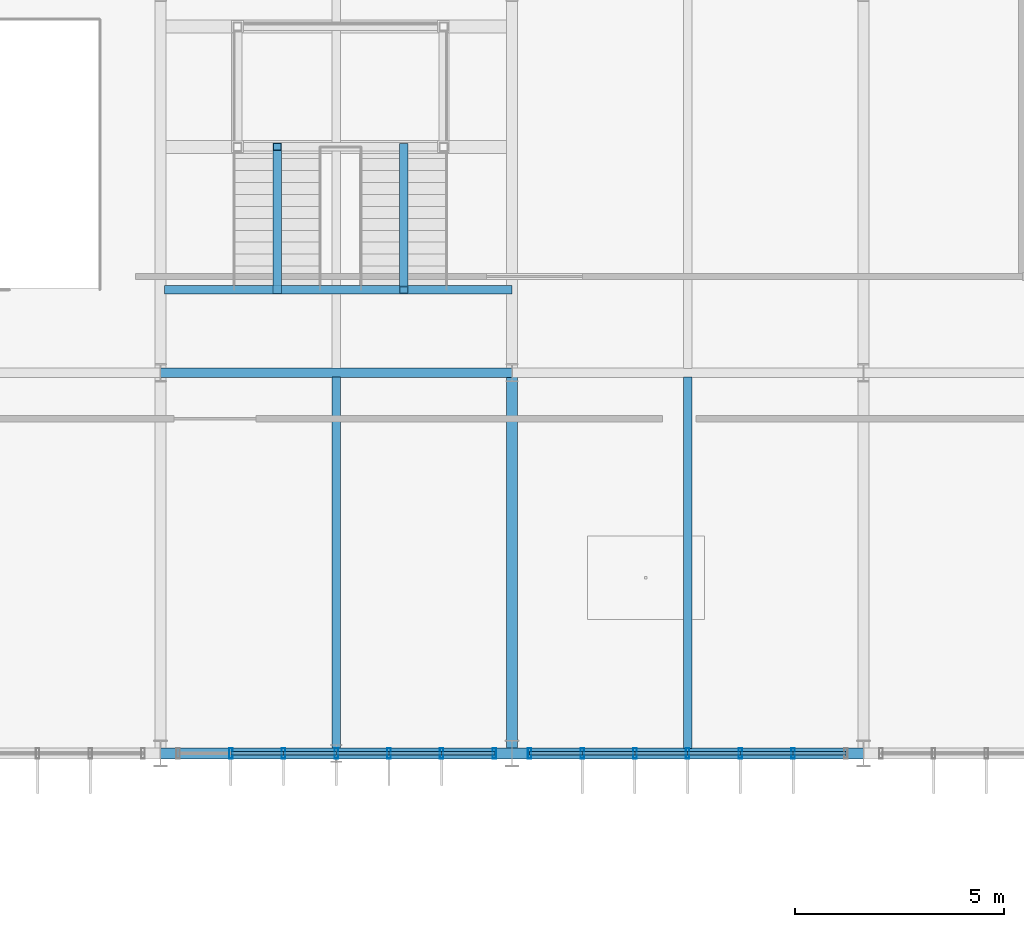
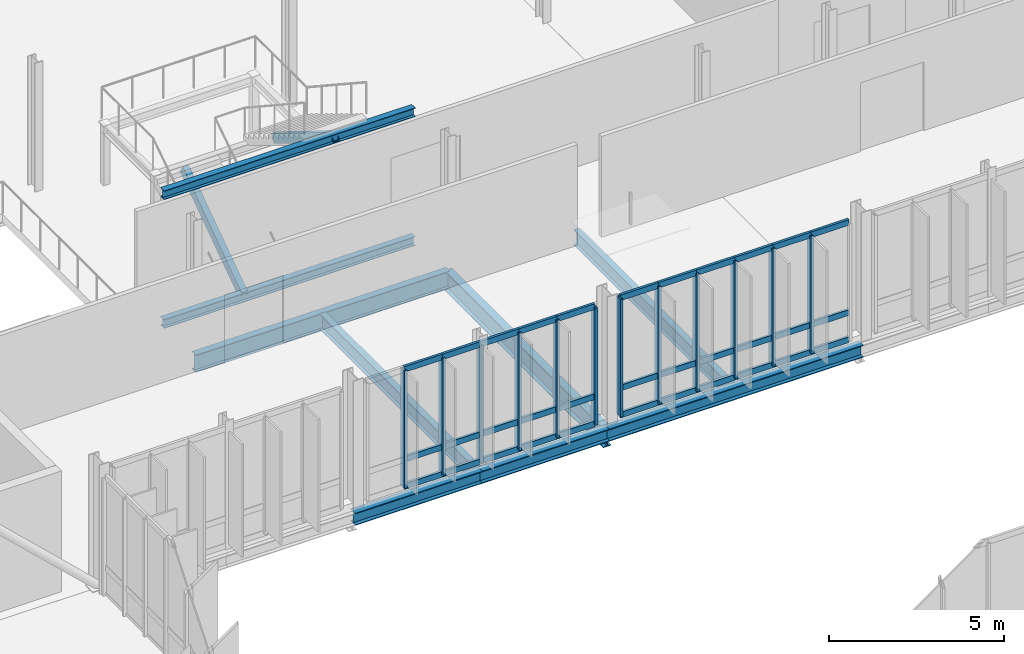
# One storey, part 40 of 139: 47 members, 9 beams, 2 elements without a shape of their own.
"""IFC4 building model written with IfcOpenShell, lengths in metres."""

import ifcopenshell
import ifcopenshell.guid

model = None  # the IFC model being written
_history = None  # IfcOwnerHistory: only IFC2X3 demands one
_inside = {}  # id of a spatial element -> (the spatial element, [elements in it])
_under = {}  # id of a project, library or spatial element -> (it, [spatial elements below it])
_declared = {}  # id of a project -> (the project, [libraries it declares])
_typed = {}  # id of a type object -> (the type object, [elements of that type])
_made_of = {}  # id of a material, layer set ... -> (it, [elements and type objects made of it])


def new_model(schema):
    """Start an empty IFC model of exactly this schema.

    Asked for "IFC4X3", IfcOpenShell would pick the latest addendum, in which some entities
    have other attributes; the version numbers below select the first issue.
    IFC2X3 requires an IfcOwnerHistory on every rooted entity: one is made here for all.
    """
    global model, _history
    if schema == "IFC4X3":
        model = ifcopenshell.file(schema_version=(4, 3, 0, 0))
    else:
        model = ifcopenshell.file(schema=schema)
    _inside.clear()
    _under.clear()
    _declared.clear()
    _typed.clear()
    _made_of.clear()
    _history = None
    if model.schema == "IFC2X3":
        org = make("IfcOrganization", Name="unknown")
        user = make(
            "IfcPersonAndOrganization",
            ThePerson=make("IfcPerson", FamilyName="unknown"),
            TheOrganization=org,
        )
        app = make(
            "IfcApplication",
            ApplicationDeveloper=org,
            Version="unknown",
            ApplicationFullName="unknown",
            ApplicationIdentifier="unknown",
        )
        _history = make(
            "IfcOwnerHistory",
            OwningUser=user,
            OwningApplication=app,
            ChangeAction="ADDED",
            CreationDate=0,
        )
    return model


def make(cls, **values):
    """One entity of the class cls with the attributes given. An attribute that is None is left unset."""
    return model.create_entity(
        cls, **{name: value for name, value in values.items() if value is not None}
    )


def rooted(cls, **values):
    """An entity with a GlobalId (a new one), such as an element, a storey or a relation."""
    return make(cls, GlobalId=ifcopenshell.guid.new(), OwnerHistory=_history, **values)


def si_unit(unit_type, name, prefix=None):
    """IfcSIUnit, for example si_unit("LENGTHUNIT", "METRE", prefix="MILLI")."""
    return make("IfcSIUnit", UnitType=unit_type, Prefix=prefix, Name=name)


def derived_unit(unit_type, elements):
    """IfcDerivedUnit: a product of units, each with its exponent."""
    return make(
        "IfcDerivedUnit",
        Elements=[
            make("IfcDerivedUnitElement", Unit=unit, Exponent=power)
            for unit, power in elements
        ],
        UnitType=unit_type,
    )


def assignment(units):
    """IfcUnitAssignment: the units of a project."""
    return None if units is None else make("IfcUnitAssignment", Units=units)


def point(xyz):
    """IfcCartesianPoint."""
    return None if xyz is None else make("IfcCartesianPoint", Coordinates=xyz)


def direction(xyz):
    """IfcDirection."""
    return None if xyz is None else make("IfcDirection", DirectionRatios=xyz)


def frame(location, z_axis=None, x_axis=None):
    """IfcAxis2Placement3D, a coordinate frame: its origin and axes. An axis left out is left unset."""
    return make(
        "IfcAxis2Placement3D",
        Location=point(location),
        Axis=direction(z_axis),
        RefDirection=direction(x_axis),
    )


def frame_2d(location, x_axis=None):
    """IfcAxis2Placement2D, a coordinate frame in the plane: its origin and x axis."""
    return make(
        "IfcAxis2Placement2D", Location=point(location), RefDirection=direction(x_axis)
    )


def origin():
    """The frame at (0, 0, 0) with its axes left unset."""
    return frame((0.0, 0.0, 0.0))


def origin_2d():
    """The frame at (0, 0) in the plane with its x axis left unset."""
    return frame_2d((0.0, 0.0))


def place(relative_to, where):
    """IfcLocalPlacement: puts the frame where relative to a parent placement (None: the world)."""
    return make(
        "IfcLocalPlacement", PlacementRelTo=relative_to, RelativePlacement=where
    )


def context(
    kind, dimensions, precision=None, world=None, true_north=None, identifier=None
):
    """IfcGeometricRepresentationContext, for example the 3D "Model" context."""
    return make(
        "IfcGeometricRepresentationContext",
        ContextIdentifier=identifier,
        ContextType=kind,
        CoordinateSpaceDimension=dimensions,
        Precision=precision,
        WorldCoordinateSystem=world,
        TrueNorth=true_north,
    )


def subcontext(parent, identifier, kind, view, scale=None):
    """IfcGeometricRepresentationSubContext, for example "Body" below "Model"."""
    return make(
        "IfcGeometricRepresentationSubContext",
        ContextIdentifier=identifier,
        ContextType=kind,
        ParentContext=parent,
        TargetScale=scale,
        TargetView=view,
    )


def project(units=None, contexts=None):
    """IfcProject with its units and contexts."""
    return rooted(
        "IfcProject",
        Name="project",
        RepresentationContexts=contexts,
        UnitsInContext=assignment(units),
    )


def spatial(cls, under=None, at=None, **own):
    """A site, building, storey or space (cls), placed at a placement, below another one or the project."""
    s = rooted(cls, ObjectPlacement=at, **own)
    if under is not None:
        _under.setdefault(under.id(), (under, []))[1].append(s)
    return s


def profile(cls, at=None, kind="AREA", **sizes):
    """A parametric profile (cls). Its sizes go by their IFC names, for example OverallWidth=200.0."""
    return make(cls, ProfileType=kind, Position=at, **sizes)


def hollow_rectangle(**sizes):
    """IfcRectangleHollowProfileDef."""
    return profile("IfcRectangleHollowProfileDef", **sizes)


def i_section(**sizes):
    """IfcIShapeProfileDef."""
    return profile("IfcIShapeProfileDef", **sizes)


def extrude(swept, where, along, depth):
    """IfcExtrudedAreaSolid: the profile swept, set in the frame where, extruded along a direction by depth."""
    return make(
        "IfcExtrudedAreaSolid",
        SweptArea=swept,
        Position=where,
        ExtrudedDirection=direction(along),
        Depth=depth,
    )


def shape(context_of_items, identifier, shape_type, items):
    """IfcShapeRepresentation: the items that make up one representation, for example the "Body"."""
    return make(
        "IfcShapeRepresentation",
        ContextOfItems=context_of_items,
        RepresentationIdentifier=identifier,
        RepresentationType=shape_type,
        Items=items,
    )


def material(Name=None, Category=None):
    """IfcMaterial."""
    return make("IfcMaterial", Name=Name, Category=Category)


def layer(
    of_material, thickness, ventilated=None, Name=None, Category=None, Priority=None
):
    """IfcMaterialLayer: one layer of a wall or slab, of a material (None: an air gap)."""
    return make(
        "IfcMaterialLayer",
        Material=of_material,
        LayerThickness=thickness,
        IsVentilated=ventilated,
        Name=Name,
        Category=Category,
        Priority=Priority,
    )


def layer_set(layers, Name=None):
    """IfcMaterialLayerSet."""
    return make("IfcMaterialLayerSet", MaterialLayers=layers, LayerSetName=Name)


def material_profile(
    of_material, cross_section, Name=None, Category=None, Priority=None
):
    """IfcMaterialProfile: a cross section and its material."""
    return make(
        "IfcMaterialProfile",
        Name=Name,
        Material=of_material,
        Profile=cross_section,
        Priority=Priority,
        Category=Category,
    )


def profile_set(profiles, Name=None, composite=None):
    """IfcMaterialProfileSet."""
    return make(
        "IfcMaterialProfileSet",
        Name=Name,
        MaterialProfiles=profiles,
        CompositeProfile=composite,
    )


def made_of(thing, what):
    """Note that an element or type object is made of a material, layer set ...; save() writes the relation."""
    if what is not None:
        _made_of.setdefault(what.id(), (what, []))[1].append(thing)
    return thing


def type_object(cls, material=None, **own):
    """A type object (cls), such as IfcWallType, which elements share."""
    return made_of(rooted(cls, **own), material)


def element(
    cls,
    number,
    at=None,
    inside=None,
    cuts=None,
    type_object=None,
    material=None,
    context=None,
    identifier="Body",
    shape_type=None,
    held_by="IfcProductDefinitionShape",
    body=None,
    shapes=None,
    **own,
):
    """One element of the class cls, such as IfcWall. Its Tag is "e" and its number.

    at: its placement. inside: the storey or other place that contains it. cuts: it is an
    opening in that element (IfcRelVoidsElement). A single representation is given by context,
    identifier, shape_type and body (its items); several are given by shapes. held_by: the class
    of the entity that holds the representations. save() writes the other relations.
    """
    e = rooted(cls, Tag="e%d" % number, ObjectPlacement=at, **own)
    if body is not None:
        shapes = [shape(context, identifier, shape_type, body)]
    if shapes is not None:
        e.Representation = make(held_by, Representations=shapes)
    if inside is not None:
        _inside.setdefault(inside.id(), (inside, []))[1].append(e)
    if cuts is not None:
        rooted(
            "IfcRelVoidsElement", RelatingBuildingElement=cuts, RelatedOpeningElement=e
        )
    if type_object is not None:
        _typed.setdefault(type_object.id(), (type_object, []))[1].append(e)
    return made_of(e, material)


def aggregate(whole, parts):
    """IfcRelAggregates: a whole, such as a stair, and the parts it consists of."""
    return rooted("IfcRelAggregates", RelatingObject=whole, RelatedObjects=parts)


def save(model, path):
    """Write the relations noted so far, then the file.

    IfcRelAggregates (storeys below a building ...), IfcRelContainedInSpatialStructure (elements
    in a storey), IfcRelDefinesByType, IfcRelAssociatesMaterial and IfcRelDeclares: one each for
    every whole, place, type object, material and project.
    """
    for whole, parts in _under.values():
        aggregate(whole, parts)
    for where, things in _inside.values():
        rooted(
            "IfcRelContainedInSpatialStructure",
            RelatedElements=things,
            RelatingStructure=where,
        )
    for kind, things in _typed.values():
        rooted("IfcRelDefinesByType", RelatedObjects=things, RelatingType=kind)
    for what, things in _made_of.values():
        rooted("IfcRelAssociatesMaterial", RelatedObjects=things, RelatingMaterial=what)
    for by, libraries in _declared.values():
        rooted("IfcRelDeclares", RelatingContext=by, RelatedDefinitions=libraries)
    model.write(path)


model = new_model("IFC4")

# Units and contexts
model_context = context("Model", 3, precision=1e-05, world=origin(), true_north=direction((0.0, 1.0)))
body_context = subcontext(model_context, "Body", "Model", "MODEL_VIEW")
ifc_project = project(units=[si_unit("LENGTHUNIT", "METRE"), si_unit("AREAUNIT", "SQUARE_METRE"), si_unit("VOLUMEUNIT", "CUBIC_METRE"), si_unit("PLANEANGLEUNIT", "RADIAN"), si_unit("MASSUNIT", "GRAM", prefix="KILO"), derived_unit("THERMALTRANSMITTANCEUNIT", [(si_unit("MASSUNIT", "GRAM", prefix="KILO"), 1), (si_unit("TIMEUNIT", "SECOND"), -3), (si_unit("THERMODYNAMICTEMPERATUREUNIT", "KELVIN"), -1)])], contexts=[model_context])

# Site, building, storey
site_placement = place(None, origin())
site = spatial("IfcSite", under=ifc_project, at=site_placement, CompositionType="ELEMENT")
building_placement = place(site_placement, origin())
building = spatial("IfcBuilding", under=site, at=building_placement, Name="Makaiwela Harbour Ferry Terminal", CompositionType="ELEMENT")
storey_placement = place(building_placement, frame((0.0, 0.0, 5.10009765625)))
storey = spatial("IfcBuildingStorey", under=building, at=storey_placement, Name="L01", CompositionType="ELEMENT", Elevation=5.10009765625)

# Curtain wall, members
ifc_material_1 = material(Name="Marine anodised aluminium 6063-T6", Category="aluminium")
ifc_layer = layer(ifc_material_1, 0.199951171875)
ifc_layer_set = layer_set([ifc_layer], Name="Marine anodised aluminium 6063-T6")
curtain_wall_type = type_object("IfcCurtainWallType", Name="ENV-CW-08", PredefinedType="USERDEFINED", material=ifc_layer_set)
curtain_wall_1_placement = place(storey_placement, origin())
curtain_wall_1 = element("IfcCurtainWall", 1, at=curtain_wall_1_placement, inside=storey, type_object=curtain_wall_type, Name="Unitised Curtain Wall CWA-078", ObjectType="UNITIZED CURTAIN WALL", PredefinedType="USERDEFINED")
ifc_material_profile_1 = material_profile(ifc_material_1, hollow_rectangle(XDim=0.0849609375, YDim=0.25, WallThickness=0.0048828125, at=origin_2d()), Name="CWM-250X85")
ifc_profile_set_1 = profile_set([ifc_material_profile_1], Name="Marine anodised aluminium 6063-T6")
member_type_1 = type_object("IfcMemberType", Name="CW-MUL-250", PredefinedType="MULLION", material=ifc_profile_set_1)
member_1_placement = place(storey_placement, frame((87.780029296875, 49.39990234375, 0.0), z_axis=(0.0, 0.0, 1.0), x_axis=(1.0, 0.0, 0.0)))
member_1 = element("IfcMember", 2, at=member_1_placement, type_object=member_type_1, Name="Curtain Wall Mullion CWA-078-1", PredefinedType="MULLION", context=body_context, shape_type="SweptSolid", body=[
    extrude(hollow_rectangle(XDim=0.0849609375, YDim=0.25, WallThickness=0.0048828125, at=origin_2d()), origin(), (0.0, 0.0, 1.0), 4.099853515625),
])
member_2_placement = place(storey_placement, frame((86.52001953125, 49.39990234375, 0.0), z_axis=(0.0, 0.0, 1.0), x_axis=(1.0, 0.0, 0.0)))
member_2 = element("IfcMember", 3, at=member_2_placement, type_object=member_type_1, Name="Curtain Wall Mullion CWA-078-2", PredefinedType="MULLION", context=body_context, shape_type="SweptSolid", body=[
    extrude(hollow_rectangle(XDim=0.0849609375, YDim=0.25, WallThickness=0.0048828125, at=origin_2d()), origin(), (0.0, 0.0, 1.0), 4.099853515625),
])
member_3_placement = place(storey_placement, frame((85.260009765625, 49.39990234375, 0.0), z_axis=(0.0, 0.0, 1.0), x_axis=(1.0, 0.0, 0.0)))
member_3 = element("IfcMember", 4, at=member_3_placement, type_object=member_type_1, Name="Curtain Wall Mullion CWA-078-3", PredefinedType="MULLION", context=body_context, shape_type="SweptSolid", body=[
    extrude(hollow_rectangle(XDim=0.0849609375, YDim=0.25, WallThickness=0.0048828125, at=origin_2d()), origin(), (0.0, 0.0, 1.0), 4.099853515625),
])
member_4_placement = place(storey_placement, frame((84.0, 49.39990234375, 0.0), z_axis=(0.0, 0.0, 1.0), x_axis=(1.0, 0.0, 0.0)))
member_4 = element("IfcMember", 5, at=member_4_placement, type_object=member_type_1, Name="Curtain Wall Mullion CWA-078-4", PredefinedType="MULLION", context=body_context, shape_type="SweptSolid", body=[
    extrude(hollow_rectangle(XDim=0.0849609375, YDim=0.25, WallThickness=0.0048828125, at=origin_2d()), origin(), (0.0, 0.0, 1.0), 4.099853515625),
])
member_5_placement = place(storey_placement, frame((82.739990234375, 49.39990234375, 0.0), z_axis=(0.0, 0.0, 1.0), x_axis=(1.0, 0.0, 0.0)))
member_5 = element("IfcMember", 6, at=member_5_placement, type_object=member_type_1, Name="Curtain Wall Mullion CWA-078-5", PredefinedType="MULLION", context=body_context, shape_type="SweptSolid", body=[
    extrude(hollow_rectangle(XDim=0.0849609375, YDim=0.25, WallThickness=0.0048828125, at=origin_2d()), origin(), (0.0, 0.0, 1.0), 4.099853515625),
])
member_6_placement = place(storey_placement, frame((81.47998046875, 49.39990234375, 0.0), z_axis=(0.0, 0.0, 1.0), x_axis=(1.0, 0.0, 0.0)))
member_6 = element("IfcMember", 7, at=member_6_placement, type_object=member_type_1, Name="Curtain Wall Mullion CWA-078-6", PredefinedType="MULLION", context=body_context, shape_type="SweptSolid", body=[
    extrude(hollow_rectangle(XDim=0.0849609375, YDim=0.25, WallThickness=0.0048828125, at=origin_2d()), origin(), (0.0, 0.0, 1.0), 4.099853515625),
])

curtain_wall_2_placement = place(storey_placement, origin())
curtain_wall_2 = element("IfcCurtainWall", 8, at=curtain_wall_2_placement, inside=storey, type_object=curtain_wall_type, Name="Unitised Curtain Wall CWA-080", ObjectType="UNITIZED CURTAIN WALL", PredefinedType="USERDEFINED")
member_7_placement = place(storey_placement, frame((94.919921875, 49.39990234375, 0.0), z_axis=(0.0, 0.0, 1.0), x_axis=(1.0, 0.0, 0.0)))
member_7 = element("IfcMember", 9, at=member_7_placement, type_object=member_type_1, Name="Curtain Wall Mullion CWA-080-2", PredefinedType="MULLION", context=body_context, shape_type="SweptSolid", body=[
    extrude(hollow_rectangle(XDim=0.0849609375, YDim=0.25, WallThickness=0.0048828125, at=origin_2d()), origin(), (0.0, 0.0, 1.0), 4.099853515625),
])
member_8_placement = place(storey_placement, frame((93.659912109375, 49.39990234375, 0.0), z_axis=(0.0, 0.0, 1.0), x_axis=(1.0, 0.0, 0.0)))
member_8 = element("IfcMember", 10, at=member_8_placement, type_object=member_type_1, Name="Curtain Wall Mullion CWA-080-3", PredefinedType="MULLION", context=body_context, shape_type="SweptSolid", body=[
    extrude(hollow_rectangle(XDim=0.0849609375, YDim=0.25, WallThickness=0.0048828125, at=origin_2d()), origin(), (0.0, 0.0, 1.0), 4.099853515625),
])
member_9_placement = place(storey_placement, frame((92.39990234375, 49.39990234375, 0.0), z_axis=(0.0, 0.0, 1.0), x_axis=(1.0, 0.0, 0.0)))
member_9 = element("IfcMember", 11, at=member_9_placement, type_object=member_type_1, Name="Curtain Wall Mullion CWA-080-4", PredefinedType="MULLION", context=body_context, shape_type="SweptSolid", body=[
    extrude(hollow_rectangle(XDim=0.0849609375, YDim=0.25, WallThickness=0.0048828125, at=origin_2d()), origin(), (0.0, 0.0, 1.0), 4.099853515625),
])
member_10_placement = place(storey_placement, frame((91.139892578125, 49.39990234375, 0.0), z_axis=(0.0, 0.0, 1.0), x_axis=(1.0, 0.0, 0.0)))
member_10 = element("IfcMember", 12, at=member_10_placement, type_object=member_type_1, Name="Curtain Wall Mullion CWA-080-5", PredefinedType="MULLION", context=body_context, shape_type="SweptSolid", body=[
    extrude(hollow_rectangle(XDim=0.0849609375, YDim=0.25, WallThickness=0.0048828125, at=origin_2d()), origin(), (0.0, 0.0, 1.0), 4.099853515625),
])
member_11_placement = place(storey_placement, frame((89.8798828125, 49.39990234375, 0.0), z_axis=(0.0, 0.0, 1.0), x_axis=(1.0, 0.0, 0.0)))
member_11 = element("IfcMember", 13, at=member_11_placement, type_object=member_type_1, Name="Curtain Wall Mullion CWA-080-6", PredefinedType="MULLION", context=body_context, shape_type="SweptSolid", body=[
    extrude(hollow_rectangle(XDim=0.0849609375, YDim=0.25, WallThickness=0.0048828125, at=origin_2d()), origin(), (0.0, 0.0, 1.0), 4.099853515625),
])
member_12_placement = place(storey_placement, frame((88.6201171875, 49.39990234375, 0.0), z_axis=(0.0, 0.0, 1.0), x_axis=(1.0, 0.0, 0.0)))
member_12 = element("IfcMember", 14, at=member_12_placement, type_object=member_type_1, Name="Curtain Wall Mullion CWA-080-7", PredefinedType="MULLION", context=body_context, shape_type="SweptSolid", body=[
    extrude(hollow_rectangle(XDim=0.0849609375, YDim=0.25, WallThickness=0.0048828125, at=origin_2d()), origin(), (0.0, 0.0, 1.0), 4.099853515625),
])

# Member
ifc_material_profile_2 = material_profile(ifc_material_1, hollow_rectangle(XDim=0.0849609375, YDim=0.199951171875, WallThickness=0.0048828125, at=origin_2d()), Name="CWT-200X85")
ifc_profile_set_2 = profile_set([ifc_material_profile_2], Name="Marine anodised aluminium 6063-T6")
member_type_2 = type_object("IfcMemberType", Name="CW-TRN-200", PredefinedType="USERDEFINED", material=ifc_profile_set_2)
member_13_placement = place(storey_placement, frame((87.780029296875, 49.39990234375, 0.0), z_axis=(-1.0, 0.0, 0.0), x_axis=(0.0, -1.0, 0.0)))
member_13 = element("IfcMember", 15, at=member_13_placement, type_object=member_type_2, Name="Curtain Wall Transom CWA-078-1-1", ObjectType="TRANSOM", PredefinedType="USERDEFINED", context=body_context, shape_type="SweptSolid", body=[
    extrude(hollow_rectangle(XDim=0.0849609375, YDim=0.199951171875, WallThickness=0.0048828125, at=origin_2d()), origin(), (0.0, 0.0, 1.0), 1.260009765625),
])

member_14_placement = place(storey_placement, frame((87.780029296875, 49.39990234375, 0.949951171875), z_axis=(-1.0, 0.0, 0.0), x_axis=(0.0, -1.0, 0.0)))
member_14 = element("IfcMember", 16, at=member_14_placement, type_object=member_type_2, Name="Curtain Wall Transom CWA-078-1-2", ObjectType="TRANSOM", PredefinedType="USERDEFINED", context=body_context, shape_type="SweptSolid", body=[
    extrude(hollow_rectangle(XDim=0.0849609375, YDim=0.199951171875, WallThickness=0.0048828125, at=origin_2d()), origin(), (0.0, 0.0, 1.0), 1.260009765625),
])

member_15_placement = place(storey_placement, frame((87.780029296875, 49.39990234375, 4.099853515625), z_axis=(-1.0, 0.0, 0.0), x_axis=(0.0, -1.0, 0.0)))
member_15 = element("IfcMember", 17, at=member_15_placement, type_object=member_type_2, Name="Curtain Wall Transom CWA-078-1-3", ObjectType="TRANSOM", PredefinedType="USERDEFINED", context=body_context, shape_type="SweptSolid", body=[
    extrude(hollow_rectangle(XDim=0.0849609375, YDim=0.199951171875, WallThickness=0.0048828125, at=origin_2d()), origin(), (0.0, 0.0, 1.0), 1.260009765625),
])

member_16_placement = place(storey_placement, frame((86.52001953125, 49.39990234375, 0.0), z_axis=(-1.0, 0.0, 0.0), x_axis=(0.0, -1.0, 0.0)))
member_16 = element("IfcMember", 18, at=member_16_placement, type_object=member_type_2, Name="Curtain Wall Transom CWA-078-2-1", ObjectType="TRANSOM", PredefinedType="USERDEFINED", context=body_context, shape_type="SweptSolid", body=[
    extrude(hollow_rectangle(XDim=0.0849609375, YDim=0.199951171875, WallThickness=0.0048828125, at=origin_2d()), origin(), (0.0, 0.0, 1.0), 1.260009765625),
])

member_17_placement = place(storey_placement, frame((86.52001953125, 49.39990234375, 0.949951171875), z_axis=(-1.0, 0.0, 0.0), x_axis=(0.0, -1.0, 0.0)))
member_17 = element("IfcMember", 19, at=member_17_placement, type_object=member_type_2, Name="Curtain Wall Transom CWA-078-2-2", ObjectType="TRANSOM", PredefinedType="USERDEFINED", context=body_context, shape_type="SweptSolid", body=[
    extrude(hollow_rectangle(XDim=0.0849609375, YDim=0.199951171875, WallThickness=0.0048828125, at=origin_2d()), origin(), (0.0, 0.0, 1.0), 1.260009765625),
])

member_18_placement = place(storey_placement, frame((86.52001953125, 49.39990234375, 4.099853515625), z_axis=(-1.0, 0.0, 0.0), x_axis=(0.0, -1.0, 0.0)))
member_18 = element("IfcMember", 20, at=member_18_placement, type_object=member_type_2, Name="Curtain Wall Transom CWA-078-2-3", ObjectType="TRANSOM", PredefinedType="USERDEFINED", context=body_context, shape_type="SweptSolid", body=[
    extrude(hollow_rectangle(XDim=0.0849609375, YDim=0.199951171875, WallThickness=0.0048828125, at=origin_2d()), origin(), (0.0, 0.0, 1.0), 1.260009765625),
])

member_19_placement = place(storey_placement, frame((85.260009765625, 49.39990234375, 0.0), z_axis=(-1.0, 0.0, 0.0), x_axis=(0.0, -1.0, 0.0)))
member_19 = element("IfcMember", 21, at=member_19_placement, type_object=member_type_2, Name="Curtain Wall Transom CWA-078-3-1", ObjectType="TRANSOM", PredefinedType="USERDEFINED", context=body_context, shape_type="SweptSolid", body=[
    extrude(hollow_rectangle(XDim=0.0849609375, YDim=0.199951171875, WallThickness=0.0048828125, at=origin_2d()), origin(), (0.0, 0.0, 1.0), 1.260009765625),
])

member_20_placement = place(storey_placement, frame((85.260009765625, 49.39990234375, 0.949951171875), z_axis=(-1.0, 0.0, 0.0), x_axis=(0.0, -1.0, 0.0)))
member_20 = element("IfcMember", 22, at=member_20_placement, type_object=member_type_2, Name="Curtain Wall Transom CWA-078-3-2", ObjectType="TRANSOM", PredefinedType="USERDEFINED", context=body_context, shape_type="SweptSolid", body=[
    extrude(hollow_rectangle(XDim=0.0849609375, YDim=0.199951171875, WallThickness=0.0048828125, at=origin_2d()), origin(), (0.0, 0.0, 1.0), 1.260009765625),
])

member_21_placement = place(storey_placement, frame((85.260009765625, 49.39990234375, 4.099853515625), z_axis=(-1.0, 0.0, 0.0), x_axis=(0.0, -1.0, 0.0)))
member_21 = element("IfcMember", 23, at=member_21_placement, type_object=member_type_2, Name="Curtain Wall Transom CWA-078-3-3", ObjectType="TRANSOM", PredefinedType="USERDEFINED", context=body_context, shape_type="SweptSolid", body=[
    extrude(hollow_rectangle(XDim=0.0849609375, YDim=0.199951171875, WallThickness=0.0048828125, at=origin_2d()), origin(), (0.0, 0.0, 1.0), 1.260009765625),
])

member_22_placement = place(storey_placement, frame((84.0, 49.39990234375, 0.0), z_axis=(-1.0, 0.0, 0.0), x_axis=(0.0, -1.0, 0.0)))
member_22 = element("IfcMember", 24, at=member_22_placement, type_object=member_type_2, Name="Curtain Wall Transom CWA-078-4-1", ObjectType="TRANSOM", PredefinedType="USERDEFINED", context=body_context, shape_type="SweptSolid", body=[
    extrude(hollow_rectangle(XDim=0.0849609375, YDim=0.199951171875, WallThickness=0.0048828125, at=origin_2d()), origin(), (0.0, 0.0, 1.0), 1.260009765625),
])

member_23_placement = place(storey_placement, frame((84.0, 49.39990234375, 0.949951171875), z_axis=(-1.0, 0.0, 0.0), x_axis=(0.0, -1.0, 0.0)))
member_23 = element("IfcMember", 25, at=member_23_placement, type_object=member_type_2, Name="Curtain Wall Transom CWA-078-4-2", ObjectType="TRANSOM", PredefinedType="USERDEFINED", context=body_context, shape_type="SweptSolid", body=[
    extrude(hollow_rectangle(XDim=0.0849609375, YDim=0.199951171875, WallThickness=0.0048828125, at=origin_2d()), origin(), (0.0, 0.0, 1.0), 1.260009765625),
])

member_24_placement = place(storey_placement, frame((84.0, 49.39990234375, 4.099853515625), z_axis=(-1.0, 0.0, 0.0), x_axis=(0.0, -1.0, 0.0)))
member_24 = element("IfcMember", 26, at=member_24_placement, type_object=member_type_2, Name="Curtain Wall Transom CWA-078-4-3", ObjectType="TRANSOM", PredefinedType="USERDEFINED", context=body_context, shape_type="SweptSolid", body=[
    extrude(hollow_rectangle(XDim=0.0849609375, YDim=0.199951171875, WallThickness=0.0048828125, at=origin_2d()), origin(), (0.0, 0.0, 1.0), 1.260009765625),
])

member_25_placement = place(storey_placement, frame((82.739990234375, 49.39990234375, 0.0), z_axis=(-1.0, 0.0, 0.0), x_axis=(0.0, -1.0, 0.0)))
member_25 = element("IfcMember", 27, at=member_25_placement, type_object=member_type_2, Name="Curtain Wall Transom CWA-078-5-1", ObjectType="TRANSOM", PredefinedType="USERDEFINED", context=body_context, shape_type="SweptSolid", body=[
    extrude(hollow_rectangle(XDim=0.0849609375, YDim=0.199951171875, WallThickness=0.0048828125, at=origin_2d()), origin(), (0.0, 0.0, 1.0), 1.260009765625),
])

member_26_placement = place(storey_placement, frame((82.739990234375, 49.39990234375, 0.949951171875), z_axis=(-1.0, 0.0, 0.0), x_axis=(0.0, -1.0, 0.0)))
member_26 = element("IfcMember", 28, at=member_26_placement, type_object=member_type_2, Name="Curtain Wall Transom CWA-078-5-2", ObjectType="TRANSOM", PredefinedType="USERDEFINED", context=body_context, shape_type="SweptSolid", body=[
    extrude(hollow_rectangle(XDim=0.0849609375, YDim=0.199951171875, WallThickness=0.0048828125, at=origin_2d()), origin(), (0.0, 0.0, 1.0), 1.260009765625),
])

member_27_placement = place(storey_placement, frame((82.739990234375, 49.39990234375, 4.099853515625), z_axis=(-1.0, 0.0, 0.0), x_axis=(0.0, -1.0, 0.0)))
member_27 = element("IfcMember", 29, at=member_27_placement, type_object=member_type_2, Name="Curtain Wall Transom CWA-078-5-3", ObjectType="TRANSOM", PredefinedType="USERDEFINED", context=body_context, shape_type="SweptSolid", body=[
    extrude(hollow_rectangle(XDim=0.0849609375, YDim=0.199951171875, WallThickness=0.0048828125, at=origin_2d()), origin(), (0.0, 0.0, 1.0), 1.260009765625),
])

aggregate(curtain_wall_1, [member_1, member_2, member_3, member_4, member_5, member_6, member_13, member_14, member_15, member_16, member_17, member_18, member_19, member_20, member_21, member_22, member_23, member_24, member_25, member_26, member_27])

member_28_placement = place(storey_placement, frame((96.179931640625, 49.39990234375, 0.0), z_axis=(-1.0, 0.0, 0.0), x_axis=(0.0, -1.0, 0.0)))
member_28 = element("IfcMember", 30, at=member_28_placement, type_object=member_type_2, Name="Curtain Wall Transom CWA-080-1-1", ObjectType="TRANSOM", PredefinedType="USERDEFINED", context=body_context, shape_type="SweptSolid", body=[
    extrude(hollow_rectangle(XDim=0.0849609375, YDim=0.199951171875, WallThickness=0.0048828125, at=origin_2d()), origin(), (0.0, 0.0, 1.0), 1.260009765625),
])

member_29_placement = place(storey_placement, frame((96.179931640625, 49.39990234375, 0.949951171875), z_axis=(-1.0, 0.0, 0.0), x_axis=(0.0, -1.0, 0.0)))
member_29 = element("IfcMember", 31, at=member_29_placement, type_object=member_type_2, Name="Curtain Wall Transom CWA-080-1-2", ObjectType="TRANSOM", PredefinedType="USERDEFINED", context=body_context, shape_type="SweptSolid", body=[
    extrude(hollow_rectangle(XDim=0.0849609375, YDim=0.199951171875, WallThickness=0.0048828125, at=origin_2d()), origin(), (0.0, 0.0, 1.0), 1.260009765625),
])

member_30_placement = place(storey_placement, frame((96.179931640625, 49.39990234375, 4.099853515625), z_axis=(-1.0, 0.0, 0.0), x_axis=(0.0, -1.0, 0.0)))
member_30 = element("IfcMember", 32, at=member_30_placement, type_object=member_type_2, Name="Curtain Wall Transom CWA-080-1-3", ObjectType="TRANSOM", PredefinedType="USERDEFINED", context=body_context, shape_type="SweptSolid", body=[
    extrude(hollow_rectangle(XDim=0.0849609375, YDim=0.199951171875, WallThickness=0.0048828125, at=origin_2d()), origin(), (0.0, 0.0, 1.0), 1.260009765625),
])

member_31_placement = place(storey_placement, frame((94.919921875, 49.39990234375, 0.0), z_axis=(-1.0, 0.0, 0.0), x_axis=(0.0, -1.0, 0.0)))
member_31 = element("IfcMember", 33, at=member_31_placement, type_object=member_type_2, Name="Curtain Wall Transom CWA-080-2-1", ObjectType="TRANSOM", PredefinedType="USERDEFINED", context=body_context, shape_type="SweptSolid", body=[
    extrude(hollow_rectangle(XDim=0.0849609375, YDim=0.199951171875, WallThickness=0.0048828125, at=origin_2d()), origin(), (0.0, 0.0, 1.0), 1.260009765625),
])

member_32_placement = place(storey_placement, frame((94.919921875, 49.39990234375, 0.949951171875), z_axis=(-1.0, 0.0, 0.0), x_axis=(0.0, -1.0, 0.0)))
member_32 = element("IfcMember", 34, at=member_32_placement, type_object=member_type_2, Name="Curtain Wall Transom CWA-080-2-2", ObjectType="TRANSOM", PredefinedType="USERDEFINED", context=body_context, shape_type="SweptSolid", body=[
    extrude(hollow_rectangle(XDim=0.0849609375, YDim=0.199951171875, WallThickness=0.0048828125, at=origin_2d()), origin(), (0.0, 0.0, 1.0), 1.260009765625),
])

member_33_placement = place(storey_placement, frame((94.919921875, 49.39990234375, 4.099853515625), z_axis=(-1.0, 0.0, 0.0), x_axis=(0.0, -1.0, 0.0)))
member_33 = element("IfcMember", 35, at=member_33_placement, type_object=member_type_2, Name="Curtain Wall Transom CWA-080-2-3", ObjectType="TRANSOM", PredefinedType="USERDEFINED", context=body_context, shape_type="SweptSolid", body=[
    extrude(hollow_rectangle(XDim=0.0849609375, YDim=0.199951171875, WallThickness=0.0048828125, at=origin_2d()), origin(), (0.0, 0.0, 1.0), 1.260009765625),
])

member_34_placement = place(storey_placement, frame((93.659912109375, 49.39990234375, 0.0), z_axis=(-1.0, 0.0, 0.0), x_axis=(0.0, -1.0, 0.0)))
member_34 = element("IfcMember", 36, at=member_34_placement, type_object=member_type_2, Name="Curtain Wall Transom CWA-080-3-1", ObjectType="TRANSOM", PredefinedType="USERDEFINED", context=body_context, shape_type="SweptSolid", body=[
    extrude(hollow_rectangle(XDim=0.0849609375, YDim=0.199951171875, WallThickness=0.0048828125, at=origin_2d()), origin(), (0.0, 0.0, 1.0), 1.260009765625),
])

member_35_placement = place(storey_placement, frame((93.659912109375, 49.39990234375, 0.949951171875), z_axis=(-1.0, 0.0, 0.0), x_axis=(0.0, -1.0, 0.0)))
member_35 = element("IfcMember", 37, at=member_35_placement, type_object=member_type_2, Name="Curtain Wall Transom CWA-080-3-2", ObjectType="TRANSOM", PredefinedType="USERDEFINED", context=body_context, shape_type="SweptSolid", body=[
    extrude(hollow_rectangle(XDim=0.0849609375, YDim=0.199951171875, WallThickness=0.0048828125, at=origin_2d()), origin(), (0.0, 0.0, 1.0), 1.260009765625),
])

member_36_placement = place(storey_placement, frame((93.659912109375, 49.39990234375, 4.099853515625), z_axis=(-1.0, 0.0, 0.0), x_axis=(0.0, -1.0, 0.0)))
member_36 = element("IfcMember", 38, at=member_36_placement, type_object=member_type_2, Name="Curtain Wall Transom CWA-080-3-3", ObjectType="TRANSOM", PredefinedType="USERDEFINED", context=body_context, shape_type="SweptSolid", body=[
    extrude(hollow_rectangle(XDim=0.0849609375, YDim=0.199951171875, WallThickness=0.0048828125, at=origin_2d()), origin(), (0.0, 0.0, 1.0), 1.260009765625),
])

member_37_placement = place(storey_placement, frame((92.39990234375, 49.39990234375, 0.0), z_axis=(-1.0, 0.0, 0.0), x_axis=(0.0, -1.0, 0.0)))
member_37 = element("IfcMember", 39, at=member_37_placement, type_object=member_type_2, Name="Curtain Wall Transom CWA-080-4-1", ObjectType="TRANSOM", PredefinedType="USERDEFINED", context=body_context, shape_type="SweptSolid", body=[
    extrude(hollow_rectangle(XDim=0.0849609375, YDim=0.199951171875, WallThickness=0.0048828125, at=origin_2d()), origin(), (0.0, 0.0, 1.0), 1.260009765625),
])

member_38_placement = place(storey_placement, frame((92.39990234375, 49.39990234375, 0.949951171875), z_axis=(-1.0, 0.0, 0.0), x_axis=(0.0, -1.0, 0.0)))
member_38 = element("IfcMember", 40, at=member_38_placement, type_object=member_type_2, Name="Curtain Wall Transom CWA-080-4-2", ObjectType="TRANSOM", PredefinedType="USERDEFINED", context=body_context, shape_type="SweptSolid", body=[
    extrude(hollow_rectangle(XDim=0.0849609375, YDim=0.199951171875, WallThickness=0.0048828125, at=origin_2d()), origin(), (0.0, 0.0, 1.0), 1.260009765625),
])

member_39_placement = place(storey_placement, frame((92.39990234375, 49.39990234375, 4.099853515625), z_axis=(-1.0, 0.0, 0.0), x_axis=(0.0, -1.0, 0.0)))
member_39 = element("IfcMember", 41, at=member_39_placement, type_object=member_type_2, Name="Curtain Wall Transom CWA-080-4-3", ObjectType="TRANSOM", PredefinedType="USERDEFINED", context=body_context, shape_type="SweptSolid", body=[
    extrude(hollow_rectangle(XDim=0.0849609375, YDim=0.199951171875, WallThickness=0.0048828125, at=origin_2d()), origin(), (0.0, 0.0, 1.0), 1.260009765625),
])

member_40_placement = place(storey_placement, frame((91.139892578125, 49.39990234375, 0.0), z_axis=(-1.0, 0.0, 0.0), x_axis=(0.0, -1.0, 0.0)))
member_40 = element("IfcMember", 42, at=member_40_placement, type_object=member_type_2, Name="Curtain Wall Transom CWA-080-5-1", ObjectType="TRANSOM", PredefinedType="USERDEFINED", context=body_context, shape_type="SweptSolid", body=[
    extrude(hollow_rectangle(XDim=0.0849609375, YDim=0.199951171875, WallThickness=0.0048828125, at=origin_2d()), origin(), (0.0, 0.0, 1.0), 1.260009765625),
])

member_41_placement = place(storey_placement, frame((91.139892578125, 49.39990234375, 0.949951171875), z_axis=(-1.0, 0.0, 0.0), x_axis=(0.0, -1.0, 0.0)))
member_41 = element("IfcMember", 43, at=member_41_placement, type_object=member_type_2, Name="Curtain Wall Transom CWA-080-5-2", ObjectType="TRANSOM", PredefinedType="USERDEFINED", context=body_context, shape_type="SweptSolid", body=[
    extrude(hollow_rectangle(XDim=0.0849609375, YDim=0.199951171875, WallThickness=0.0048828125, at=origin_2d()), origin(), (0.0, 0.0, 1.0), 1.260009765625),
])

member_42_placement = place(storey_placement, frame((91.139892578125, 49.39990234375, 4.099853515625), z_axis=(-1.0, 0.0, 0.0), x_axis=(0.0, -1.0, 0.0)))
member_42 = element("IfcMember", 44, at=member_42_placement, type_object=member_type_2, Name="Curtain Wall Transom CWA-080-5-3", ObjectType="TRANSOM", PredefinedType="USERDEFINED", context=body_context, shape_type="SweptSolid", body=[
    extrude(hollow_rectangle(XDim=0.0849609375, YDim=0.199951171875, WallThickness=0.0048828125, at=origin_2d()), origin(), (0.0, 0.0, 1.0), 1.260009765625),
])

member_43_placement = place(storey_placement, frame((89.8798828125, 49.39990234375, 0.0), z_axis=(-1.0, 0.0, 0.0), x_axis=(0.0, -1.0, 0.0)))
member_43 = element("IfcMember", 45, at=member_43_placement, type_object=member_type_2, Name="Curtain Wall Transom CWA-080-6-1", ObjectType="TRANSOM", PredefinedType="USERDEFINED", context=body_context, shape_type="SweptSolid", body=[
    extrude(hollow_rectangle(XDim=0.0849609375, YDim=0.199951171875, WallThickness=0.0048828125, at=origin_2d()), origin(), (0.0, 0.0, 1.0), 1.259765625),
])

member_44_placement = place(storey_placement, frame((89.8798828125, 49.39990234375, 0.949951171875), z_axis=(-1.0, 0.0, 0.0), x_axis=(0.0, -1.0, 0.0)))
member_44 = element("IfcMember", 46, at=member_44_placement, type_object=member_type_2, Name="Curtain Wall Transom CWA-080-6-2", ObjectType="TRANSOM", PredefinedType="USERDEFINED", context=body_context, shape_type="SweptSolid", body=[
    extrude(hollow_rectangle(XDim=0.0849609375, YDim=0.199951171875, WallThickness=0.0048828125, at=origin_2d()), origin(), (0.0, 0.0, 1.0), 1.259765625),
])

member_45_placement = place(storey_placement, frame((89.8798828125, 49.39990234375, 4.099853515625), z_axis=(-1.0, 0.0, 0.0), x_axis=(0.0, -1.0, 0.0)))
member_45 = element("IfcMember", 47, at=member_45_placement, type_object=member_type_2, Name="Curtain Wall Transom CWA-080-6-3", ObjectType="TRANSOM", PredefinedType="USERDEFINED", context=body_context, shape_type="SweptSolid", body=[
    extrude(hollow_rectangle(XDim=0.0849609375, YDim=0.199951171875, WallThickness=0.0048828125, at=origin_2d()), origin(), (0.0, 0.0, 1.0), 1.259765625),
])

aggregate(curtain_wall_2, [member_7, member_8, member_9, member_10, member_11, member_12, member_28, member_29, member_30, member_31, member_32, member_33, member_34, member_35, member_36, member_37, member_38, member_39, member_40, member_41, member_42, member_43, member_44, member_45])

# Beams
ifc_material_2 = material(Name="Steel ASTM A992 Grade 50", Category="steel")
ifc_material_profile_3 = material_profile(ifc_material_2, i_section(OverallWidth=0.2099609375, OverallDepth=0.537109375, WebThickness=0.010986328125, FlangeThickness=0.017333984375, at=origin_2d()), Name="W21X68")
ifc_profile_set_3 = profile_set([ifc_material_profile_3], Name="Steel ASTM A992 Grade 50")
beam_type_1 = type_object("IfcBeamType", Name="STR-BM-W21X68", PredefinedType="BEAM", material=ifc_profile_set_3)
for number, where, z_axis, x_axis, name in (
    (48, (84.0, 49.514404296875, -0.548583984375), (0.0, 1.0, 0.0), (-1.0, 0.0, 0.0), "Secondary floor beam 1098"),
    (49, (92.39990234375, 49.514404296875, -0.548583984375), (0.0, 1.0, 0.0), (-1.0, 0.0, 0.0), "Secondary floor beam 1106"),
):
    element("IfcBeam", number, at=place(storey_placement, frame(where, z_axis=z_axis, x_axis=x_axis)), inside=storey, type_object=beam_type_1, Name=name, PredefinedType="BEAM", context=body_context, shape_type="SweptSolid", body=[
        extrude(i_section(OverallWidth=0.2099609375, OverallDepth=0.537109375, WebThickness=0.010986328125, FlangeThickness=0.017333984375, at=origin_2d()), origin(), (0.0, 0.0, 1.0), 8.88916015625),
    ])
ifc_material_profile_4 = material_profile(ifc_material_2, i_section(OverallWidth=0.22900390625, OverallDepth=0.612060546875, WebThickness=0.011962890625, FlangeThickness=0.01953125, at=origin_2d()), Name="W24X84")
ifc_profile_set_4 = profile_set([ifc_material_profile_4], Name="Steel ASTM A992 Grade 50")
beam_type_2 = type_object("IfcBeamType", Name="STR-GRD-W24X84", PredefinedType="USERDEFINED", material=ifc_profile_set_4)
beam_1_placement = place(storey_placement, frame((79.800048828125, 58.5, -0.586181640625), z_axis=(1.0, 0.0, 0.0), x_axis=(0.0, 1.0, 0.0)))
element("IfcBeam", 50, at=beam_1_placement, inside=storey, type_object=beam_type_2, Name="Primary X girder 832", ObjectType="GIRDER", PredefinedType="USERDEFINED", context=body_context, shape_type="SweptSolid", body=[
    extrude(i_section(OverallWidth=0.22900390625, OverallDepth=0.612060546875, WebThickness=0.011962890625, FlangeThickness=0.01953125, at=origin_2d()), origin(), (0.0, 0.0, 1.0), 8.39990234375),
])
ifc_material_profile_5 = material_profile(ifc_material_2, i_section(OverallWidth=0.256103515625, OverallDepth=0.693115234375, WebThickness=0.014404296875, FlangeThickness=0.023681640625, at=origin_2d()), Name="W27X114")
ifc_profile_set_5 = profile_set([ifc_material_profile_5], Name="Steel ASTM A992 Grade 50")
beam_type_3 = type_object("IfcBeamType", Name="STR-GRD-W27X114", PredefinedType="USERDEFINED", material=ifc_profile_set_5)
beam_2_placement = place(storey_placement, frame((88.199951171875, 49.39990234375, -0.626708984375), z_axis=(0.0, 1.0, 0.0), x_axis=(-1.0, 0.0, 0.0)))
element("IfcBeam", 51, at=beam_2_placement, inside=storey, type_object=beam_type_3, Name="Primary Y girder 960", ObjectType="GIRDER", PredefinedType="USERDEFINED", context=body_context, shape_type="SweptSolid", body=[
    extrude(i_section(OverallWidth=0.256103515625, OverallDepth=0.693115234375, WebThickness=0.014404296875, FlangeThickness=0.023681640625, at=origin_2d()), origin(), (0.0, 0.0, 1.0), 9.10009765625),
])
ifc_material_profile_6 = material_profile(ifc_material_2, i_section(OverallWidth=0.205078125, OverallDepth=0.31005859375, WebThickness=0.009521484375, FlangeThickness=0.016357421875, at=origin_2d()), Name="W12X50")
ifc_profile_set_6 = profile_set([ifc_material_profile_6], Name="Steel ASTM A992 Grade 50")
beam_type_4 = type_object("IfcBeamType", Name="STR-LNT-W12X50", PredefinedType="LINTEL", material=ifc_profile_set_6)
for number, where, z_axis, x_axis, name in (
    (52, (79.89501953125, 60.47998046875, -0.440185546875), (1.0, 0.0, 0.0), (0.0, 1.0, 0.0), "Stair Base Beam ST-09-L01"),
    (53, (79.89501953125, 60.47998046875, 4.059814453125), (1.0, 0.0, 0.0), (0.0, 1.0, 0.0), "Stair Arrival Beam ST-09-L01"),
):
    element("IfcBeam", number, at=place(storey_placement, frame(where, z_axis=z_axis, x_axis=x_axis)), inside=storey, type_object=beam_type_4, Name=name, PredefinedType="LINTEL", context=body_context, shape_type="SweptSolid", body=[
        extrude(i_section(OverallWidth=0.205078125, OverallDepth=0.31005859375, WebThickness=0.009521484375, FlangeThickness=0.016357421875, at=origin_2d()), origin(), (0.0, 0.0, 1.0), 8.304931640625),
    ])
ifc_material_profile_7 = material_profile(ifc_material_2, i_section(OverallWidth=0.264892578125, OverallDepth=0.430908203125, WebThickness=0.014892578125, FlangeThickness=0.02490234375, at=origin_2d()), Name="W16X100")
ifc_profile_set_7 = profile_set([ifc_material_profile_7], Name="Steel ASTM A992 Grade 50")
beam_type_5 = type_object("IfcBeamType", Name="STR-SPN-W16X100", PredefinedType="SPANDREL", material=ifc_profile_set_7)
for number, where, z_axis, x_axis, name in (
    (54, (79.800048828125, 49.39990234375, -0.49560546875), (1.0, 0.0, 0.0), (0.0, 1.0, 0.0), "Primary X girder 812"),
    (55, (84.0, 49.39990234375, -0.49560546875), (1.0, 0.0, 0.0), (0.0, 1.0, 0.0), "Primary X girder 813"),
):
    element("IfcBeam", number, at=place(storey_placement, frame(where, z_axis=z_axis, x_axis=x_axis)), inside=storey, type_object=beam_type_5, Name=name, PredefinedType="SPANDREL", context=body_context, shape_type="SweptSolid", body=[
        extrude(i_section(OverallWidth=0.264892578125, OverallDepth=0.430908203125, WebThickness=0.014892578125, FlangeThickness=0.02490234375, at=origin_2d()), origin(), (0.0, 0.0, 1.0), 4.199951171875),
    ])
beam_3_placement = place(storey_placement, frame((88.199951171875, 49.39990234375, -0.49560546875), z_axis=(1.0, 0.0, 0.0), x_axis=(0.0, 1.0, 0.0)))
element("IfcBeam", 56, at=beam_3_placement, inside=storey, type_object=beam_type_5, Name="Primary X girder 814", PredefinedType="SPANDREL", context=body_context, shape_type="SweptSolid", body=[
    extrude(i_section(OverallWidth=0.264892578125, OverallDepth=0.430908203125, WebThickness=0.014892578125, FlangeThickness=0.02490234375, at=origin_2d()), origin(), (0.0, 0.0, 1.0), 8.400146484375),
])

# Members
ifc_material_3 = material(Name="Steel ASTM A500 Grade C", Category="steel")
ifc_material_profile_8 = material_profile(ifc_material_3, hollow_rectangle(XDim=0.202880859375, YDim=0.304931640625, WallThickness=0.01171875, at=origin_2d()), Name="HSS12X8X1/2")
ifc_profile_set_8 = profile_set([ifc_material_profile_8], Name="Steel ASTM A500 Grade C")
member_type_3 = type_object("IfcMemberType", Name="STR-STR-HSS12X8", PredefinedType="STRINGER", material=ifc_profile_set_8)
member_46_placement = place(storey_placement, frame((82.590087890625, 60.47998046875, -0.440185546875), z_axis=(0.0, 0.82023748832, 0.572023131311), x_axis=(-1.0, 0.0, 0.0)))
element("IfcMember", 57, at=member_46_placement, inside=storey, type_object=member_type_3, Name="Stair Stringer ST-09-L01-S1", PredefinedType="STRINGER", context=body_context, shape_type="SweptSolid", body=[
    extrude(hollow_rectangle(XDim=0.202880859375, YDim=0.304931640625, WallThickness=0.01171875, at=origin_2d()), origin(), (0.0, 0.0, 1.0), 4.16943359375),
])
member_47_placement = place(storey_placement, frame((85.610107421875, 63.89990234375, 1.94482421875), z_axis=(0.0, -0.850499264143, 0.525976236813), x_axis=(1.0, 0.0, 0.0)))
element("IfcMember", 58, at=member_47_placement, inside=storey, type_object=member_type_3, Name="Stair Stringer ST-09-L01-S2", PredefinedType="STRINGER", context=body_context, shape_type="SweptSolid", body=[
    extrude(hollow_rectangle(XDim=0.202880859375, YDim=0.304931640625, WallThickness=0.01171875, at=origin_2d()), origin(), (0.0, 0.0, 1.0), 4.02099609375),
])

save(model, "model.ifc")
